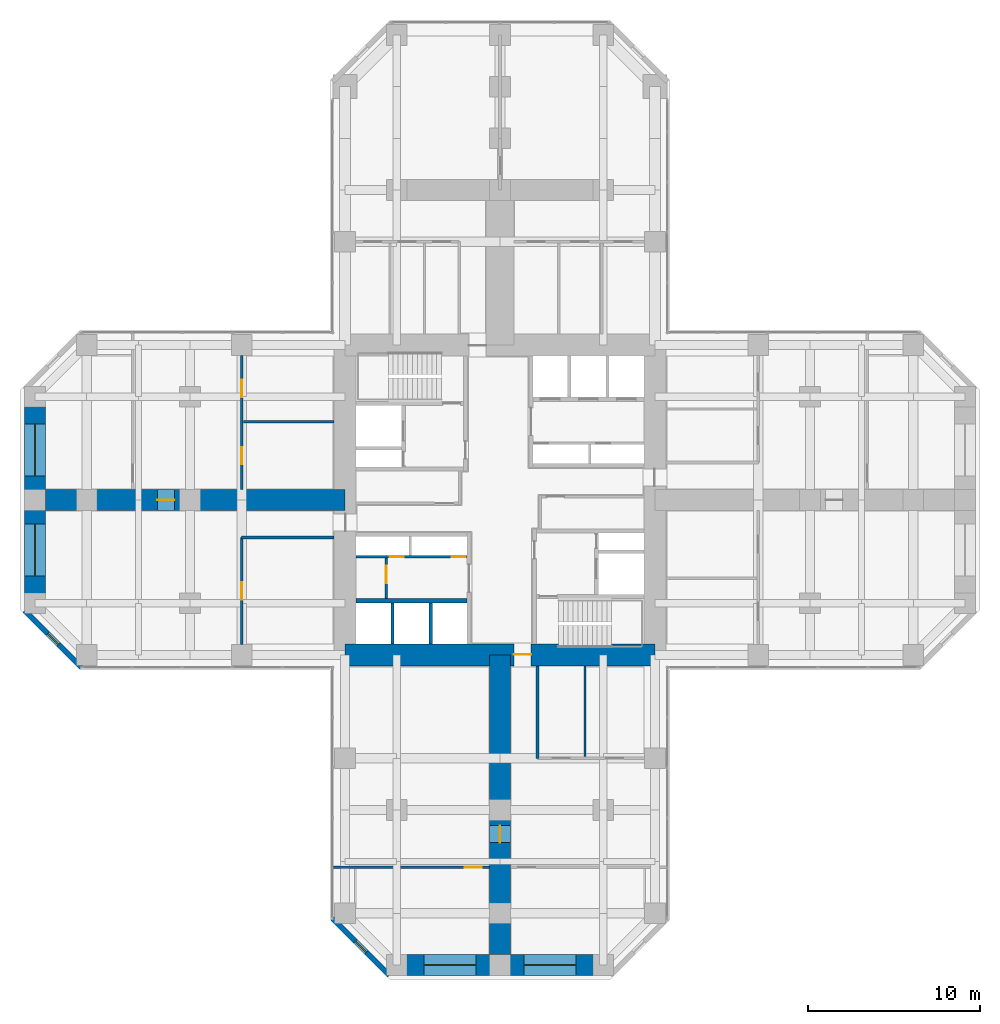
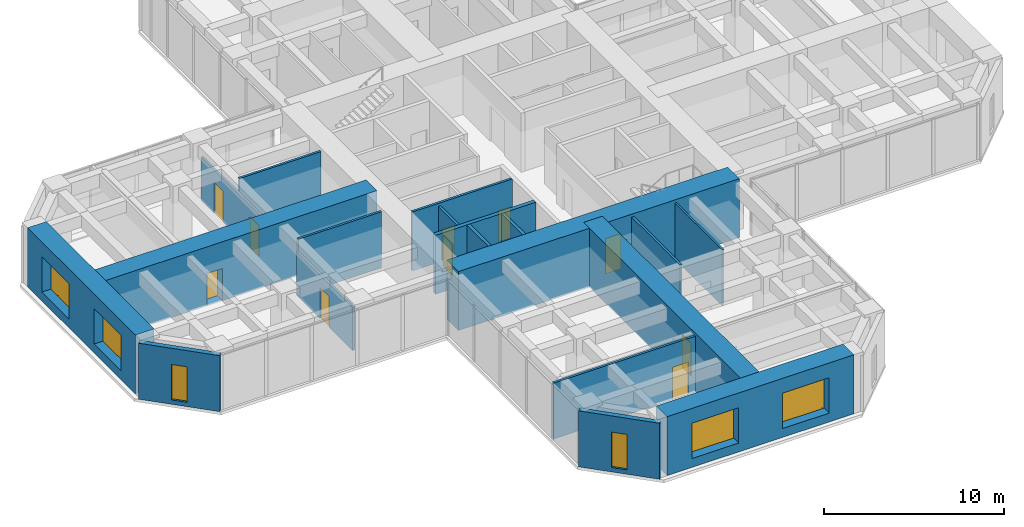
# One storey, part 8 of 12: 19 walls, 10 doors, 6 windows, 16 openings.
"""IFC4 building model written with IfcOpenShell, lengths in metres."""

import ifcopenshell
import ifcopenshell.guid

model = None  # the IFC model being written
_history = None  # IfcOwnerHistory: only IFC2X3 demands one
_inside = {}  # id of a spatial element -> (the spatial element, [elements in it])
_under = {}  # id of a project, library or spatial element -> (it, [spatial elements below it])
_declared = {}  # id of a project -> (the project, [libraries it declares])
_typed = {}  # id of a type object -> (the type object, [elements of that type])
_made_of = {}  # id of a material, layer set ... -> (it, [elements and type objects made of it])


def new_model(schema):
    """Start an empty IFC model of exactly this schema.

    Asked for "IFC4X3", IfcOpenShell would pick the latest addendum, in which some entities
    have other attributes; the version numbers below select the first issue.
    IFC2X3 requires an IfcOwnerHistory on every rooted entity: one is made here for all.
    """
    global model, _history
    if schema == "IFC4X3":
        model = ifcopenshell.file(schema_version=(4, 3, 0, 0))
    else:
        model = ifcopenshell.file(schema=schema)
    _inside.clear()
    _under.clear()
    _declared.clear()
    _typed.clear()
    _made_of.clear()
    _history = None
    if model.schema == "IFC2X3":
        org = make("IfcOrganization", Name="unknown")
        user = make(
            "IfcPersonAndOrganization",
            ThePerson=make("IfcPerson", FamilyName="unknown"),
            TheOrganization=org,
        )
        app = make(
            "IfcApplication",
            ApplicationDeveloper=org,
            Version="unknown",
            ApplicationFullName="unknown",
            ApplicationIdentifier="unknown",
        )
        _history = make(
            "IfcOwnerHistory",
            OwningUser=user,
            OwningApplication=app,
            ChangeAction="ADDED",
            CreationDate=0,
        )
    return model


def make(cls, **values):
    """One entity of the class cls with the attributes given. An attribute that is None is left unset."""
    return model.create_entity(
        cls, **{name: value for name, value in values.items() if value is not None}
    )


def rooted(cls, **values):
    """An entity with a GlobalId (a new one), such as an element, a storey or a relation."""
    return make(cls, GlobalId=ifcopenshell.guid.new(), OwnerHistory=_history, **values)


def si_unit(unit_type, name, prefix=None):
    """IfcSIUnit, for example si_unit("LENGTHUNIT", "METRE", prefix="MILLI")."""
    return make("IfcSIUnit", UnitType=unit_type, Prefix=prefix, Name=name)


def assignment(units):
    """IfcUnitAssignment: the units of a project."""
    return None if units is None else make("IfcUnitAssignment", Units=units)


def point(xyz):
    """IfcCartesianPoint."""
    return None if xyz is None else make("IfcCartesianPoint", Coordinates=xyz)


def direction(xyz):
    """IfcDirection."""
    return None if xyz is None else make("IfcDirection", DirectionRatios=xyz)


def frame(location, z_axis=None, x_axis=None):
    """IfcAxis2Placement3D, a coordinate frame: its origin and axes. An axis left out is left unset."""
    return make(
        "IfcAxis2Placement3D",
        Location=point(location),
        Axis=direction(z_axis),
        RefDirection=direction(x_axis),
    )


def frame_2d(location, x_axis=None):
    """IfcAxis2Placement2D, a coordinate frame in the plane: its origin and x axis."""
    return make(
        "IfcAxis2Placement2D", Location=point(location), RefDirection=direction(x_axis)
    )


def origin():
    """The frame at (0, 0, 0) with its axes left unset."""
    return frame((0.0, 0.0, 0.0))


def place(relative_to, where):
    """IfcLocalPlacement: puts the frame where relative to a parent placement (None: the world)."""
    return make(
        "IfcLocalPlacement", PlacementRelTo=relative_to, RelativePlacement=where
    )


def context(
    kind, dimensions, precision=None, world=None, true_north=None, identifier=None
):
    """IfcGeometricRepresentationContext, for example the 3D "Model" context."""
    return make(
        "IfcGeometricRepresentationContext",
        ContextIdentifier=identifier,
        ContextType=kind,
        CoordinateSpaceDimension=dimensions,
        Precision=precision,
        WorldCoordinateSystem=world,
        TrueNorth=true_north,
    )


def subcontext(parent, identifier, kind, view, scale=None):
    """IfcGeometricRepresentationSubContext, for example "Body" below "Model"."""
    return make(
        "IfcGeometricRepresentationSubContext",
        ContextIdentifier=identifier,
        ContextType=kind,
        ParentContext=parent,
        TargetScale=scale,
        TargetView=view,
    )


def project(units=None, contexts=None):
    """IfcProject with its units and contexts."""
    return rooted(
        "IfcProject",
        Name="project",
        RepresentationContexts=contexts,
        UnitsInContext=assignment(units),
    )


def spatial(cls, under=None, at=None, **own):
    """A site, building, storey or space (cls), placed at a placement, below another one or the project."""
    s = rooted(cls, ObjectPlacement=at, **own)
    if under is not None:
        _under.setdefault(under.id(), (under, []))[1].append(s)
    return s


def profile(cls, at=None, kind="AREA", **sizes):
    """A parametric profile (cls). Its sizes go by their IFC names, for example OverallWidth=200.0."""
    return make(cls, ProfileType=kind, Position=at, **sizes)


def rectangle(**sizes):
    """IfcRectangleProfileDef."""
    return profile("IfcRectangleProfileDef", **sizes)


def hollow_rectangle(**sizes):
    """IfcRectangleHollowProfileDef."""
    return profile("IfcRectangleHollowProfileDef", **sizes)


def extrude(swept, where, along, depth):
    """IfcExtrudedAreaSolid: the profile swept, set in the frame where, extruded along a direction by depth."""
    return make(
        "IfcExtrudedAreaSolid",
        SweptArea=swept,
        Position=where,
        ExtrudedDirection=direction(along),
        Depth=depth,
    )


def shape(context_of_items, identifier, shape_type, items):
    """IfcShapeRepresentation: the items that make up one representation, for example the "Body"."""
    return make(
        "IfcShapeRepresentation",
        ContextOfItems=context_of_items,
        RepresentationIdentifier=identifier,
        RepresentationType=shape_type,
        Items=items,
    )


def material(Name=None, Category=None):
    """IfcMaterial."""
    return make("IfcMaterial", Name=Name, Category=Category)


def layer(
    of_material, thickness, ventilated=None, Name=None, Category=None, Priority=None
):
    """IfcMaterialLayer: one layer of a wall or slab, of a material (None: an air gap)."""
    return make(
        "IfcMaterialLayer",
        Material=of_material,
        LayerThickness=thickness,
        IsVentilated=ventilated,
        Name=Name,
        Category=Category,
        Priority=Priority,
    )


def layer_set(layers, Name=None):
    """IfcMaterialLayerSet."""
    return make("IfcMaterialLayerSet", MaterialLayers=layers, LayerSetName=Name)


def constituent(of_material, Name=None, Category=None, fraction=None):
    """IfcMaterialConstituent: one of the materials an element consists of."""
    return make(
        "IfcMaterialConstituent",
        Name=Name,
        Material=of_material,
        Fraction=fraction,
        Category=Category,
    )


def constituent_set(constituents=None, Name=None):
    """IfcMaterialConstituentSet."""
    return make(
        "IfcMaterialConstituentSet", Name=Name, MaterialConstituents=constituents
    )


def made_of(thing, what):
    """Note that an element or type object is made of a material, layer set ...; save() writes the relation."""
    if what is not None:
        _made_of.setdefault(what.id(), (what, []))[1].append(thing)
    return thing


def type_object(cls, material=None, **own):
    """A type object (cls), such as IfcWallType, which elements share."""
    return made_of(rooted(cls, **own), material)


def element(
    cls,
    number,
    at=None,
    inside=None,
    cuts=None,
    type_object=None,
    material=None,
    context=None,
    identifier="Body",
    shape_type=None,
    held_by="IfcProductDefinitionShape",
    body=None,
    shapes=None,
    **own,
):
    """One element of the class cls, such as IfcWall. Its Tag is "e" and its number.

    at: its placement. inside: the storey or other place that contains it. cuts: it is an
    opening in that element (IfcRelVoidsElement). A single representation is given by context,
    identifier, shape_type and body (its items); several are given by shapes. held_by: the class
    of the entity that holds the representations. save() writes the other relations.
    """
    e = rooted(cls, Tag="e%d" % number, ObjectPlacement=at, **own)
    if body is not None:
        shapes = [shape(context, identifier, shape_type, body)]
    if shapes is not None:
        e.Representation = make(held_by, Representations=shapes)
    if inside is not None:
        _inside.setdefault(inside.id(), (inside, []))[1].append(e)
    if cuts is not None:
        rooted(
            "IfcRelVoidsElement", RelatingBuildingElement=cuts, RelatedOpeningElement=e
        )
    if type_object is not None:
        _typed.setdefault(type_object.id(), (type_object, []))[1].append(e)
    return made_of(e, material)


def fill(opening, filler):
    """IfcRelFillsElement: the door or window that sits in an opening."""
    return rooted(
        "IfcRelFillsElement",
        RelatingOpeningElement=opening,
        RelatedBuildingElement=filler,
    )


def aggregate(whole, parts):
    """IfcRelAggregates: a whole, such as a stair, and the parts it consists of."""
    return rooted("IfcRelAggregates", RelatingObject=whole, RelatedObjects=parts)


def save(model, path):
    """Write the relations noted so far, then the file.

    IfcRelAggregates (storeys below a building ...), IfcRelContainedInSpatialStructure (elements
    in a storey), IfcRelDefinesByType, IfcRelAssociatesMaterial and IfcRelDeclares: one each for
    every whole, place, type object, material and project.
    """
    for whole, parts in _under.values():
        aggregate(whole, parts)
    for where, things in _inside.values():
        rooted(
            "IfcRelContainedInSpatialStructure",
            RelatedElements=things,
            RelatingStructure=where,
        )
    for kind, things in _typed.values():
        rooted("IfcRelDefinesByType", RelatedObjects=things, RelatingType=kind)
    for what, things in _made_of.values():
        rooted("IfcRelAssociatesMaterial", RelatedObjects=things, RelatingMaterial=what)
    for by, libraries in _declared.values():
        rooted("IfcRelDeclares", RelatingContext=by, RelatedDefinitions=libraries)
    model.write(path)


model = new_model("IFC4")

# Units and contexts
model_context = context("Model", 3, precision=1e-05, world=origin(), true_north=direction((0.0, 1.0)))
body_context = subcontext(model_context, "Body", "Model", "MODEL_VIEW")
ifc_project = project(units=[si_unit("LENGTHUNIT", "METRE"), si_unit("AREAUNIT", "SQUARE_METRE"), si_unit("VOLUMEUNIT", "CUBIC_METRE"), si_unit("PLANEANGLEUNIT", "RADIAN"), si_unit("MASSUNIT", "GRAM", prefix="KILO")], contexts=[model_context])

# Site, building, storey
site_placement = place(None, origin())
site = spatial("IfcSite", under=ifc_project, at=site_placement, CompositionType="ELEMENT")
building_placement = place(site_placement, origin())
building = spatial("IfcBuilding", under=site, at=building_placement, Name="Torre Cruceta", CompositionType="ELEMENT")
storey_placement = place(building_placement, frame((0.0, 0.0, 79.5)))
storey = spatial("IfcBuildingStorey", under=building, at=storey_placement, Name="L19", CompositionType="ELEMENT", Elevation=79.5)

# Wall
ifc_material_1 = material(Name="Concrete G60 (fck 60 MPa)", Category="concrete")
ifc_layer_1 = layer(ifc_material_1, 0.25)
ifc_layer_set_1 = layer_set([ifc_layer_1], Name="Concrete G60 (fck 60 MPa)")
wall_type_1 = type_object("IfcWallType", Name="CORE INNER WALL 250 G60", PredefinedType="SHEAR", material=ifc_layer_set_1)
wall_1_placement = place(storey_placement, frame((-1.925048828125, -5.85009765625, 0.0), z_axis=(0.0, 0.0, 1.0), x_axis=(-1.0, 0.0, 0.0)))
element("IfcWall", 1, at=wall_1_placement, inside=storey, type_object=wall_type_1, Name="CW4 L19 SW-LV", PredefinedType="SHEAR", context=body_context, shape_type="SweptSolid", body=[
    extrude(rectangle(XDim=6.425048828125, YDim=0.25, at=frame_2d((3.21240234375, 0.0))), origin(), (0.0, 0.0, 1.0), 4.0),
])

# Wall, opening, door
ifc_material_2 = material(Name="Concrete G60 (fck 60 MPa)", Category="concrete")
ifc_layer_2 = layer(ifc_material_2, 1.300048828125)
ifc_layer_set_2 = layer_set([ifc_layer_2], Name="Concrete G60 (fck 60 MPa)")
wall_type_2 = type_object("IfcWallType", Name="CORE WALL 1300 G60", PredefinedType="SHEAR", material=ifc_layer_set_2)
wall_2_placement = place(storey_placement, frame((-9.0, -9.0, 0.0), z_axis=(0.0, 0.0, 1.0), x_axis=(1.0, 0.0, 0.0)))
wall_2 = element("IfcWall", 2, at=wall_2_placement, inside=storey, type_object=wall_type_2, Name="CW1 L19 CW-S", PredefinedType="SHEAR", context=body_context, shape_type="SweptSolid", body=[
    extrude(rectangle(XDim=18.0, YDim=1.300048828125, at=frame_2d((9.0, 0.0))), origin(), (0.0, 0.0, 1.0), 4.0),
])
opening_1_placement = place(wall_2_placement, frame((9.800048828125, 0.0, 0.0)))
opening_1 = element("IfcOpeningElement", 3, at=opening_1_placement, cuts=wall_2, Name="Opening D4", PredefinedType="OPENING", context=body_context, shape_type="SweptSolid", body=[
    extrude(rectangle(XDim=1.0, YDim=2.39990234375, at=frame_2d((0.5, 1.199951171875))), frame((0.0, 0.659912109375, 0.0), z_axis=(0.0, -1.0, 0.0), x_axis=(1.0, 0.0, 0.0)), (0.0, 0.0, 1.0), 1.320068359375),
])
ifc_material_3 = material(Name="Steel DX51D", Category="steel")
ifc_constituent_1 = constituent(ifc_material_3, Name="Leaf and frame")
ifc_material_4 = material(Name="Polyester powder coating", Category="paint")
ifc_constituent_2 = constituent(ifc_material_4, Name="Finish")
ifc_constituent_set_1 = constituent_set(constituents=[ifc_constituent_1, ifc_constituent_2], Name="Steel fire door")
door_type_1 = type_object("IfcDoorType", Name="CORE ARM DOOR 1000X2400", OperationType="SINGLE_SWING_RIGHT", PredefinedType="DOOR", material=ifc_constituent_set_1)
door_1_placement = place(opening_1_placement, frame((1.0, 0.0, 0.0), z_axis=(0.0, 0.0, 1.0), x_axis=(-1.0, 0.0, 0.0)))
door_1 = element("IfcDoor", 4, at=door_1_placement, inside=storey, type_object=door_type_1, Name="D4 L19 CW-S", OperationType="SINGLE_SWING_RIGHT", OverallHeight=2.39990234375, OverallWidth=1.0, PredefinedType="DOOR", context=body_context, shape_type="SweptSolid", body=[
    extrude(rectangle(XDim=1.0, YDim=2.39990234375, at=frame_2d((0.5, 1.199951171875))), frame((0.0, -0.005126953125, 0.0), z_axis=(0.0, -1.0, 0.0), x_axis=(1.0, 0.0, 0.0)), (0.0, 0.0, 1.0), 0.050048828125),
])
fill(opening_1, door_1)

# Wall, opening, window
ifc_material_5 = material(Name="Concrete G30 (fck 30 MPa)", Category="concrete")
ifc_layer_3 = layer(ifc_material_5, 0.300048828125)
ifc_layer_set_3 = layer_set([ifc_layer_3], Name="Concrete G30 (fck 30 MPa)")
wall_type_3 = type_object("IfcWallType", Name="EXPOSED CONCRETE FACADE WALL 300", PredefinedType="SOLIDWALL", material=ifc_layer_set_3)
wall_3_placement = place(storey_placement, frame((-27.60009765625, -6.418212890625, 0.0), z_axis=(0.0, 0.0, 1.0), x_axis=(0.707106781187, -0.707106781187, 0.0)))
wall_3 = element("IfcWall", 5, at=wall_3_placement, inside=storey, type_object=wall_type_3, Name="EW1 facade wall L19 W chamfer 13", PredefinedType="SOLIDWALL", context=body_context, shape_type="SweptSolid", body=[
    extrude(rectangle(XDim=4.66943359375, YDim=0.300048828125, at=frame_2d((2.334716796875, 0.0))), origin(), (0.0, 0.0, 1.0), 3.800048828125),
])
opening_2_placement = place(wall_3_placement, frame((1.884765625, 0.0, 0.300048828125)))
opening_2 = element("IfcOpeningElement", 6, at=opening_2_placement, cuts=wall_3, Name="Opening WN5", PredefinedType="OPENING", context=body_context, shape_type="SweptSolid", body=[
    extrude(rectangle(XDim=0.89990234375, YDim=2.39990234375, at=frame_2d((0.449951171875, 1.199951171875))), frame((0.0, 0.159912109375, 0.0), z_axis=(0.0, -1.0, 0.0), x_axis=(1.0, 0.0, 0.0)), (0.0, 0.0, 1.0), 0.320068359375),
])
ifc_material_6 = material(Name="Aluminium window frame", Category="aluminium")
ifc_constituent_3 = constituent(ifc_material_6, Name="Frame")
ifc_material_7 = material(Name="Laminated insulating glass unit, low-iron clear", Category="glass")
ifc_constituent_4 = constituent(ifc_material_7, Name="Glazing")
ifc_constituent_set_2 = constituent_set(constituents=[ifc_constituent_3, ifc_constituent_4], Name="Aluminium window")
window_type_1 = type_object("IfcWindowType", Name="CHAMFER SLOT WINDOW 900X2400", PartitioningType="SINGLE_PANEL", PredefinedType="WINDOW", material=ifc_constituent_set_2)
window_1_placement = place(opening_2_placement, origin())
window_1 = element("IfcWindow", 7, at=window_1_placement, inside=storey, type_object=window_type_1, Name="WN5 L19 W 1", OverallHeight=2.39990234375, OverallWidth=0.89990234375, PartitioningType="SINGLE_PANEL", PredefinedType="WINDOW", context=body_context, shape_type="SweptSolid", body=[
    extrude(hollow_rectangle(XDim=0.89990234375, YDim=2.39990234375, WallThickness=0.06005859375, at=frame_2d((0.449951171875, 1.199951171875))), frame((0.0, 0.030029296875, 0.0), z_axis=(0.0, -1.0, 0.0), x_axis=(1.0, 0.0, 0.0)), (0.0, 0.0, 1.0), 0.06005859375),
    extrude(rectangle(XDim=0.77880859375, YDim=2.27880859375, at=frame_2d((0.449951171875, 1.199951171875))), frame((0.0, 0.030029296875, 0.0), z_axis=(0.0, -1.0, 0.0), x_axis=(1.0, 0.0, 0.0)), (0.0, 0.0, 1.0), 0.06005859375),
])
fill(opening_2, window_1)

wall_4_placement = place(storey_placement, frame((-9.719970703125, -24.29833984375, 0.0), z_axis=(0.0, 0.0, 1.0), x_axis=(0.707106781187, -0.707106781187, 0.0)))
wall_4 = element("IfcWall", 8, at=wall_4_placement, inside=storey, type_object=wall_type_3, Name="EW1 facade wall L19 S chamfer 16", PredefinedType="SOLIDWALL", context=body_context, shape_type="SweptSolid", body=[
    extrude(rectangle(XDim=4.66943359375, YDim=0.300048828125, at=frame_2d((2.334716796875, 0.0))), origin(), (0.0, 0.0, 1.0), 3.800048828125),
])
opening_3_placement = place(wall_4_placement, frame((1.884765625, 0.0, 0.300048828125)))
opening_3 = element("IfcOpeningElement", 9, at=opening_3_placement, cuts=wall_4, Name="Opening WN5", PredefinedType="OPENING", context=body_context, shape_type="SweptSolid", body=[
    extrude(rectangle(XDim=0.89990234375, YDim=2.39990234375, at=frame_2d((0.449951171875, 1.199951171875))), frame((0.0, 0.159912109375, 0.0), z_axis=(0.0, -1.0, 0.0), x_axis=(1.0, 0.0, 0.0)), (0.0, 0.0, 1.0), 0.320068359375),
])
window_2_placement = place(opening_3_placement, origin())
window_2 = element("IfcWindow", 10, at=window_2_placement, inside=storey, type_object=window_type_1, Name="WN5 L19 S 1", OverallHeight=2.39990234375, OverallWidth=0.89990234375, PartitioningType="SINGLE_PANEL", PredefinedType="WINDOW", context=body_context, shape_type="SweptSolid", body=[
    extrude(hollow_rectangle(XDim=0.89990234375, YDim=2.39990234375, WallThickness=0.06005859375, at=frame_2d((0.449951171875, 1.199951171875))), frame((0.0, 0.030029296875, 0.0), z_axis=(0.0, -1.0, 0.0), x_axis=(1.0, 0.0, 0.0)), (0.0, 0.0, 1.0), 0.06005859375),
    extrude(rectangle(XDim=0.77880859375, YDim=2.27880859375, at=frame_2d((0.449951171875, 1.199951171875))), frame((0.0, 0.030029296875, 0.0), z_axis=(0.0, -1.0, 0.0), x_axis=(1.0, 0.0, 0.0)), (0.0, 0.0, 1.0), 0.06005859375),
])
fill(opening_3, window_2)

# Walls
ifc_material_8 = material(Name="Concrete G35 (fck 35 MPa)", Category="concrete")
ifc_layer_4 = layer(ifc_material_8, 0.199951171875)
ifc_layer_set_4 = layer_set([ifc_layer_4], Name="Concrete G35 (fck 35 MPa)")
wall_type_4 = type_object("IfcWallType", Name="LIFT SHAFT WALL 200", PredefinedType="PARTITIONING", material=ifc_layer_set_4)
for number, where, z_axis, x_axis, name in (
    (11, (-4.033447265625, -5.97509765625, 0.0), (0.0, 0.0, 1.0), (0.0, -1.0, 0.0), "SW1 L19 SW-LS1"),
    (12, (-6.24169921875, -5.97509765625, 0.0), (0.0, 0.0, 1.0), (0.0, -1.0, 0.0), "SW1 L19 SW-LS2"),
):
    element("IfcWall", number, at=place(storey_placement, frame(where, z_axis=z_axis, x_axis=x_axis)), inside=storey, type_object=wall_type_4, Name=name, PredefinedType="PARTITIONING", context=body_context, shape_type="SweptSolid", body=[
        extrude(rectangle(XDim=2.375, YDim=0.199951171875, at=frame_2d((1.1875, 0.0))), origin(), (0.0, 0.0, 1.0), 4.0),
    ])

# Wall, openings, windows
ifc_material_9 = material(Name="Concrete G60 (fck 60 MPa)", Category="concrete")
ifc_layer_5 = layer(ifc_material_9, 1.199951171875)
ifc_layer_set_5 = layer_set([ifc_layer_5], Name="Concrete G60 (fck 60 MPa)")
wall_type_5 = type_object("IfcWallType", Name="NOSE WALL 1200 G60", PredefinedType="SHEAR", material=ifc_layer_set_5)
wall_5_placement = place(storey_placement, frame((-6.0, -27.0, 0.0), z_axis=(0.0, 0.0, 1.0), x_axis=(1.0, 0.0, 0.0)))
wall_5 = element("IfcWall", 13, at=wall_5_placement, inside=storey, type_object=wall_type_5, Name="NW1 nose wall L19 S", PredefinedType="SHEAR", context=body_context, shape_type="SweptSolid", body=[
    extrude(rectangle(XDim=12.0, YDim=1.199951171875, at=frame_2d((6.0, 0.0))), origin(), (0.0, 0.0, 1.0), 4.0),
])
opening_4_placement = place(wall_5_placement, frame((1.60009765625, 0.0, 0.60009765625)))
opening_4 = element("IfcOpeningElement", 14, at=opening_4_placement, cuts=wall_5, Name="Opening WN6", PredefinedType="OPENING", context=body_context, shape_type="SweptSolid", body=[
    extrude(rectangle(XDim=3.0, YDim=2.39990234375, at=frame_2d((1.5, 1.199951171875))), frame((0.0, 0.60986328125, 0.0), z_axis=(0.0, -1.0, 0.0), x_axis=(1.0, 0.0, 0.0)), (0.0, 0.0, 1.0), 1.219970703125),
])
opening_5_placement = place(wall_5_placement, frame((7.39990234375, 0.0, 0.60009765625)))
opening_5 = element("IfcOpeningElement", 15, at=opening_5_placement, cuts=wall_5, Name="Opening WN6", PredefinedType="OPENING", context=body_context, shape_type="SweptSolid", body=[
    extrude(rectangle(XDim=3.0, YDim=2.39990234375, at=frame_2d((1.5, 1.199951171875))), frame((0.0, 0.60986328125, 0.0), z_axis=(0.0, -1.0, 0.0), x_axis=(1.0, 0.0, 0.0)), (0.0, 0.0, 1.0), 1.219970703125),
])
ifc_material_10 = material(Name="Aluminium window frame", Category="aluminium")
ifc_constituent_5 = constituent(ifc_material_10, Name="Frame")
ifc_material_11 = material(Name="Laminated insulating glass unit, low-iron clear", Category="glass")
ifc_constituent_6 = constituent(ifc_material_11, Name="Glazing")
ifc_constituent_set_3 = constituent_set(constituents=[ifc_constituent_5, ifc_constituent_6], Name="Aluminium window")
window_type_2 = type_object("IfcWindowType", Name="NOSE WALL WINDOW 3000X2400", PartitioningType="SINGLE_PANEL", PredefinedType="WINDOW", material=ifc_constituent_set_3)
window_3_placement = place(opening_4_placement, origin())
window_3 = element("IfcWindow", 16, at=window_3_placement, inside=storey, type_object=window_type_2, Name="WN6 L19 S 1", OverallHeight=2.39990234375, OverallWidth=3.0, PartitioningType="SINGLE_PANEL", PredefinedType="WINDOW", context=body_context, shape_type="SweptSolid", body=[
    extrude(hollow_rectangle(XDim=3.0, YDim=2.39990234375, WallThickness=0.06005859375, at=frame_2d((1.5, 1.199951171875))), frame((0.0, 0.030029296875, 0.0), z_axis=(0.0, -1.0, 0.0), x_axis=(1.0, 0.0, 0.0)), (0.0, 0.0, 1.0), 0.06005859375),
    extrude(rectangle(XDim=2.87890625, YDim=2.27880859375, at=frame_2d((1.5, 1.199951171875))), frame((0.0, 0.030029296875, 0.0), z_axis=(0.0, -1.0, 0.0), x_axis=(1.0, 0.0, 0.0)), (0.0, 0.0, 1.0), 0.06005859375),
])
fill(opening_4, window_3)
window_4_placement = place(opening_5_placement, origin())
window_4 = element("IfcWindow", 17, at=window_4_placement, inside=storey, type_object=window_type_2, Name="WN6 L19 S 2", OverallHeight=2.39990234375, OverallWidth=3.0, PartitioningType="SINGLE_PANEL", PredefinedType="WINDOW", context=body_context, shape_type="SweptSolid", body=[
    extrude(hollow_rectangle(XDim=3.0, YDim=2.39990234375, WallThickness=0.06005859375, at=frame_2d((1.5, 1.199951171875))), frame((0.0, 0.030029296875, 0.0), z_axis=(0.0, -1.0, 0.0), x_axis=(1.0, 0.0, 0.0)), (0.0, 0.0, 1.0), 0.06005859375),
    extrude(rectangle(XDim=2.87890625, YDim=2.27880859375, at=frame_2d((1.5, 1.199951171875))), frame((0.0, 0.030029296875, 0.0), z_axis=(0.0, -1.0, 0.0), x_axis=(1.0, 0.0, 0.0)), (0.0, 0.0, 1.0), 0.06005859375),
])
fill(opening_5, window_4)

wall_6_placement = place(storey_placement, frame((-27.0, 6.0, 0.0), z_axis=(0.0, 0.0, 1.0), x_axis=(0.0, -1.0, 0.0)))
wall_6 = element("IfcWall", 18, at=wall_6_placement, inside=storey, type_object=wall_type_5, Name="NW1 nose wall L19 W", PredefinedType="SHEAR", context=body_context, shape_type="SweptSolid", body=[
    extrude(rectangle(XDim=12.0, YDim=1.199951171875, at=frame_2d((6.0, 0.0))), origin(), (0.0, 0.0, 1.0), 4.0),
])
opening_6_placement = place(wall_6_placement, frame((1.60009765625, 0.0, 0.60009765625)))
opening_6 = element("IfcOpeningElement", 19, at=opening_6_placement, cuts=wall_6, Name="Opening WN6", PredefinedType="OPENING", context=body_context, shape_type="SweptSolid", body=[
    extrude(rectangle(XDim=3.0, YDim=2.39990234375, at=frame_2d((1.5, 1.199951171875))), frame((0.0, 0.60986328125, 0.0), z_axis=(0.0, -1.0, 0.0), x_axis=(1.0, 0.0, 0.0)), (0.0, 0.0, 1.0), 1.219970703125),
])
opening_7_placement = place(wall_6_placement, frame((7.39990234375, 0.0, 0.60009765625)))
opening_7 = element("IfcOpeningElement", 20, at=opening_7_placement, cuts=wall_6, Name="Opening WN6", PredefinedType="OPENING", context=body_context, shape_type="SweptSolid", body=[
    extrude(rectangle(XDim=3.0, YDim=2.39990234375, at=frame_2d((1.5, 1.199951171875))), frame((0.0, 0.60986328125, 0.0), z_axis=(0.0, -1.0, 0.0), x_axis=(1.0, 0.0, 0.0)), (0.0, 0.0, 1.0), 1.219970703125),
])
window_5_placement = place(opening_6_placement, origin())
window_5 = element("IfcWindow", 21, at=window_5_placement, inside=storey, type_object=window_type_2, Name="WN6 L19 W 1", OverallHeight=2.39990234375, OverallWidth=3.0, PartitioningType="SINGLE_PANEL", PredefinedType="WINDOW", context=body_context, shape_type="SweptSolid", body=[
    extrude(hollow_rectangle(XDim=3.0, YDim=2.39990234375, WallThickness=0.06005859375, at=frame_2d((1.5, 1.199951171875))), frame((0.0, 0.030029296875, 0.0), z_axis=(0.0, -1.0, 0.0), x_axis=(1.0, 0.0, 0.0)), (0.0, 0.0, 1.0), 0.06005859375),
    extrude(rectangle(XDim=2.87890625, YDim=2.27880859375, at=frame_2d((1.5, 1.199951171875))), frame((0.0, 0.030029296875, 0.0), z_axis=(0.0, -1.0, 0.0), x_axis=(1.0, 0.0, 0.0)), (0.0, 0.0, 1.0), 0.06005859375),
])
fill(opening_6, window_5)
window_6_placement = place(opening_7_placement, origin())
window_6 = element("IfcWindow", 22, at=window_6_placement, inside=storey, type_object=window_type_2, Name="WN6 L19 W 2", OverallHeight=2.39990234375, OverallWidth=3.0, PartitioningType="SINGLE_PANEL", PredefinedType="WINDOW", context=body_context, shape_type="SweptSolid", body=[
    extrude(hollow_rectangle(XDim=3.0, YDim=2.39990234375, WallThickness=0.06005859375, at=frame_2d((1.5, 1.199951171875))), frame((0.0, 0.030029296875, 0.0), z_axis=(0.0, -1.0, 0.0), x_axis=(1.0, 0.0, 0.0)), (0.0, 0.0, 1.0), 0.06005859375),
    extrude(rectangle(XDim=2.87890625, YDim=2.27880859375, at=frame_2d((1.5, 1.199951171875))), frame((0.0, 0.030029296875, 0.0), z_axis=(0.0, -1.0, 0.0), x_axis=(1.0, 0.0, 0.0)), (0.0, 0.0, 1.0), 0.06005859375),
])
fill(opening_7, window_6)

# Wall, opening, door
ifc_material_12 = material(Name="Plasterboard on steel studs", Category="steel")
ifc_layer_6 = layer(ifc_material_12, 0.14990234375)
ifc_layer_set_6 = layer_set([ifc_layer_6], Name="Plasterboard on steel studs")
wall_type_6 = type_object("IfcWallType", Name="PARTITION 150", PredefinedType="PARTITIONING", material=ifc_layer_set_6)
wall_7_placement = place(storey_placement, frame((-6.60009765625, -3.375, 0.0), z_axis=(0.0, 0.0, 1.0), x_axis=(0.0, -1.0, 0.0)))
wall_7 = element("IfcWall", 23, at=wall_7_placement, inside=storey, type_object=wall_type_6, Name="PT1 L19-CORE-SW-X", PredefinedType="PARTITIONING", context=body_context, shape_type="SweptSolid", body=[
    extrude(rectangle(XDim=2.35009765625, YDim=0.14990234375, at=frame_2d((1.175048828125, 0.0))), origin(), (0.0, 0.0, 1.0), 3.800048828125),
])
opening_8_placement = place(wall_7_placement, frame((0.449951171875, 0.0, 0.0)))
opening_8 = element("IfcOpeningElement", 24, at=opening_8_placement, cuts=wall_7, Name="Opening D3", PredefinedType="OPENING", context=body_context, shape_type="SweptSolid", body=[
    extrude(rectangle(XDim=1.0, YDim=2.10009765625, at=frame_2d((0.5, 1.050048828125))), frame((0.0, 0.0849609375, 0.0), z_axis=(0.0, -1.0, 0.0), x_axis=(1.0, 0.0, 0.0)), (0.0, 0.0, 1.0), 0.169921875),
])
ifc_material_13 = material(Name="Steel DX51D", Category="steel")
ifc_constituent_7 = constituent(ifc_material_13, Name="Leaf and frame")
ifc_material_14 = material(Name="Polyester powder coating", Category="paint")
ifc_constituent_8 = constituent(ifc_material_14, Name="Finish")
ifc_constituent_set_4 = constituent_set(constituents=[ifc_constituent_7, ifc_constituent_8], Name="Steel fire door")
door_type_2 = type_object("IfcDoorType", Name="FIRE DOOR 1000X2100", OperationType="SINGLE_SWING_LEFT", PredefinedType="DOOR", material=ifc_constituent_set_4)
door_2_placement = place(opening_8_placement, frame((1.0, 0.0, 0.0), z_axis=(0.0, 0.0, 1.0), x_axis=(-1.0, 0.0, 0.0)))
door_2 = element("IfcDoor", 25, at=door_2_placement, inside=storey, type_object=door_type_2, Name="D3 L19-CORE-SW-X-D1", OperationType="SINGLE_SWING_RIGHT", OverallHeight=2.10009765625, OverallWidth=1.0, PredefinedType="DOOR", context=body_context, shape_type="SweptSolid", body=[
    extrude(rectangle(XDim=1.0, YDim=2.10009765625, at=frame_2d((0.5, 1.050048828125))), frame((0.0, 0.025146484375, 0.0), z_axis=(0.0, -1.0, 0.0), x_axis=(1.0, 0.0, 0.0)), (0.0, 0.0, 1.0), 0.050048828125),
])
fill(opening_8, door_2)

# Wall
wall_8_placement = place(storey_placement, frame((2.175048828125, -9.64990234375, 0.0), z_axis=(0.0, 0.0, 1.0), x_axis=(0.0, -1.0, 0.0)))
element("IfcWall", 26, at=wall_8_placement, inside=storey, type_object=wall_type_6, Name="PT1 L19-S-BSL", PredefinedType="PARTITIONING", context=body_context, shape_type="SweptSolid", body=[
    extrude(rectangle(XDim=5.35009765625, YDim=0.14990234375, at=frame_2d((2.675048828125, 0.0))), origin(), (0.0, 0.0, 1.0), 3.800048828125),
])

# Wall, opening, door
wall_9_placement = place(storey_placement, frame((-9.679931640625, -21.320068359375, 0.0), z_axis=(0.0, 0.0, 1.0), x_axis=(1.0, 0.0, 0.0)))
wall_9 = element("IfcWall", 27, at=wall_9_placement, inside=storey, type_object=wall_type_6, Name="PT1 L19-S-TWR", PredefinedType="PARTITIONING", context=body_context, shape_type="SweptSolid", body=[
    extrude(rectangle(XDim=9.079833984375, YDim=0.14990234375, at=frame_2d((4.5400390625, 0.0))), origin(), (0.0, 0.0, 1.0), 3.800048828125),
])
opening_9_placement = place(wall_9_placement, frame((7.6298828125, 0.0, 0.0)))
opening_9 = element("IfcOpeningElement", 28, at=opening_9_placement, cuts=wall_9, Name="Opening D14", PredefinedType="OPENING", context=body_context, shape_type="SweptSolid", body=[
    extrude(rectangle(XDim=1.0, YDim=2.199951171875, at=frame_2d((0.5, 1.10009765625))), frame((0.0, 0.0849609375, 0.0), z_axis=(0.0, -1.0, 0.0), x_axis=(1.0, 0.0, 0.0)), (0.0, 0.0, 1.0), 0.169921875),
])
ifc_material_15 = material(Name="Steel DX51D", Category="steel")
ifc_constituent_9 = constituent(ifc_material_15, Name="Leaf and frame")
ifc_material_16 = material(Name="Polyester powder coating", Category="paint")
ifc_constituent_10 = constituent(ifc_material_16, Name="Finish")
ifc_material_17 = material(Name="Fire-resisting glass", Category="glass")
ifc_constituent_11 = constituent(ifc_material_17, Name="Vision panel")
ifc_constituent_set_5 = constituent_set(constituents=[ifc_constituent_9, ifc_constituent_10, ifc_constituent_11], Name="Steel fire door with vision panel")
door_type_3 = type_object("IfcDoorType", Name="FIRE DOOR VISION PANEL 1000X2200", OperationType="SINGLE_SWING_RIGHT", PredefinedType="DOOR", material=ifc_constituent_set_5)
door_3_placement = place(opening_9_placement, frame((1.0, 0.0, 0.0), z_axis=(0.0, 0.0, 1.0), x_axis=(-1.0, 0.0, 0.0)))
door_3 = element("IfcDoor", 29, at=door_3_placement, inside=storey, type_object=door_type_3, Name="D14 L19-S-TWR-D1", OperationType="SINGLE_SWING_LEFT", OverallHeight=2.199951171875, OverallWidth=1.0, PredefinedType="DOOR", context=body_context, shape_type="SweptSolid", body=[
    extrude(rectangle(XDim=1.0, YDim=2.199951171875, at=frame_2d((0.5, 1.10009765625))), frame((0.0, 0.025146484375, 0.0), z_axis=(0.0, -1.0, 0.0), x_axis=(1.0, 0.0, 0.0)), (0.0, 0.0, 1.0), 0.050048828125),
])
fill(opening_9, door_3)

wall_10_placement = place(storey_placement, frame((-15.0, -2.175048828125, 0.0), z_axis=(0.0, 0.0, 1.0), x_axis=(0.0, -1.0, 0.0)))
wall_10 = element("IfcWall", 30, at=wall_10_placement, inside=storey, type_object=wall_type_6, Name="PT1 L19-W-BFL", PredefinedType="PARTITIONING", context=body_context, shape_type="SweptSolid", body=[
    extrude(rectangle(XDim=6.224853515625, YDim=0.14990234375, at=frame_2d((3.1123046875, 0.0))), origin(), (0.0, 0.0, 1.0), 2.949951171875),
])
opening_10_placement = place(wall_10_placement, frame((2.612548828125, 0.0, 0.0)))
opening_10 = element("IfcOpeningElement", 31, at=opening_10_placement, cuts=wall_10, Name="Opening D3", PredefinedType="OPENING", context=body_context, shape_type="SweptSolid", body=[
    extrude(rectangle(XDim=1.0, YDim=2.10009765625, at=frame_2d((0.5, 1.050048828125))), frame((0.0, 0.0849609375, 0.0), z_axis=(0.0, -1.0, 0.0), x_axis=(1.0, 0.0, 0.0)), (0.0, 0.0, 1.0), 0.169921875),
])
door_4_placement = place(opening_10_placement, origin())
door_4 = element("IfcDoor", 32, at=door_4_placement, inside=storey, type_object=door_type_2, Name="D3 L19-W-BFL-D1", OperationType="SINGLE_SWING_LEFT", OverallHeight=2.10009765625, OverallWidth=1.0, PredefinedType="DOOR", context=body_context, shape_type="SweptSolid", body=[
    extrude(rectangle(XDim=1.0, YDim=2.10009765625, at=frame_2d((0.5, 1.050048828125))), frame((0.0, 0.02490234375, 0.0), z_axis=(0.0, -1.0, 0.0), x_axis=(1.0, 0.0, 0.0)), (0.0, 0.0, 1.0), 0.050048828125),
])
fill(opening_10, door_4)

# Wall
wall_11_placement = place(storey_placement, frame((-9.64990234375, -2.175048828125, 0.0), z_axis=(0.0, 0.0, 1.0), x_axis=(-1.0, 0.0, 0.0)))
element("IfcWall", 33, at=wall_11_placement, inside=storey, type_object=wall_type_6, Name="PT1 L19-W-BSL", PredefinedType="PARTITIONING", context=body_context, shape_type="SweptSolid", body=[
    extrude(rectangle(XDim=5.35009765625, YDim=0.14990234375, at=frame_2d((2.675048828125, 0.0))), origin(), (0.0, 0.0, 1.0), 3.800048828125),
])

# Wall, openings, doors
wall_12_placement = place(storey_placement, frame((-15.0, 8.39990234375, 0.0), z_axis=(0.0, 0.0, 1.0), x_axis=(0.0, -1.0, 0.0)))
wall_12 = element("IfcWall", 34, at=wall_12_placement, inside=storey, type_object=wall_type_6, Name="PT1 L19-W-BFR", PredefinedType="PARTITIONING", context=body_context, shape_type="SweptSolid", body=[
    extrude(rectangle(XDim=7.7998046875, YDim=0.14990234375, at=frame_2d((3.89990234375, 0.0))), origin(), (0.0, 0.0, 1.0), 2.949951171875),
])
opening_11_placement = place(wall_12_placement, frame((1.425048828125, 0.0, 0.0)))
opening_11 = element("IfcOpeningElement", 35, at=opening_11_placement, cuts=wall_12, Name="Opening D3", PredefinedType="OPENING", context=body_context, shape_type="SweptSolid", body=[
    extrude(rectangle(XDim=1.0, YDim=2.10009765625, at=frame_2d((0.5, 1.050048828125))), frame((0.0, 0.0849609375, 0.0), z_axis=(0.0, -1.0, 0.0), x_axis=(1.0, 0.0, 0.0)), (0.0, 0.0, 1.0), 0.169921875),
])
opening_12_placement = place(wall_12_placement, frame((5.324951171875, 0.0, 0.0)))
opening_12 = element("IfcOpeningElement", 36, at=opening_12_placement, cuts=wall_12, Name="Opening D3", PredefinedType="OPENING", context=body_context, shape_type="SweptSolid", body=[
    extrude(rectangle(XDim=1.0, YDim=2.10009765625, at=frame_2d((0.5, 1.050048828125))), frame((0.0, 0.0849609375, 0.0), z_axis=(0.0, -1.0, 0.0), x_axis=(1.0, 0.0, 0.0)), (0.0, 0.0, 1.0), 0.169921875),
])
door_5_placement = place(opening_11_placement, origin())
door_5 = element("IfcDoor", 37, at=door_5_placement, inside=storey, type_object=door_type_2, Name="D3 L19-W-BFR-D1", OperationType="SINGLE_SWING_RIGHT", OverallHeight=2.10009765625, OverallWidth=1.0, PredefinedType="DOOR", context=body_context, shape_type="SweptSolid", body=[
    extrude(rectangle(XDim=1.0, YDim=2.10009765625, at=frame_2d((0.5, 1.050048828125))), frame((0.0, 0.02490234375, 0.0), z_axis=(0.0, -1.0, 0.0), x_axis=(1.0, 0.0, 0.0)), (0.0, 0.0, 1.0), 0.050048828125),
])
fill(opening_11, door_5)
door_6_placement = place(opening_12_placement, origin())
door_6 = element("IfcDoor", 38, at=door_6_placement, inside=storey, type_object=door_type_2, Name="D3 L19-W-BFR-D2", OperationType="SINGLE_SWING_LEFT", OverallHeight=2.10009765625, OverallWidth=1.0, PredefinedType="DOOR", context=body_context, shape_type="SweptSolid", body=[
    extrude(rectangle(XDim=1.0, YDim=2.10009765625, at=frame_2d((0.5, 1.050048828125))), frame((0.0, 0.02490234375, 0.0), z_axis=(0.0, -1.0, 0.0), x_axis=(1.0, 0.0, 0.0)), (0.0, 0.0, 1.0), 0.050048828125),
])
fill(opening_12, door_6)

# Wall
wall_13_placement = place(storey_placement, frame((-9.64990234375, 4.550048828125, 0.0), z_axis=(0.0, 0.0, 1.0), x_axis=(-1.0, 0.0, 0.0)))
element("IfcWall", 39, at=wall_13_placement, inside=storey, type_object=wall_type_6, Name="PT1 L19-W-BDR1", PredefinedType="PARTITIONING", context=body_context, shape_type="SweptSolid", body=[
    extrude(rectangle(XDim=5.25, YDim=0.14990234375, at=frame_2d((2.625, 0.0))), origin(), (0.0, 0.0, 1.0), 3.800048828125),
])

# Wall, openings, doors
ifc_material_18 = material(Name="Concrete block masonry", Category="masonry")
ifc_layer_7 = layer(ifc_material_18, 0.14990234375)
ifc_layer_set_7 = layer_set([ifc_layer_7], Name="Concrete block masonry")
wall_type_7 = type_object("IfcWallType", Name="RISER WALL 150", PredefinedType="PARTITIONING", material=ifc_layer_set_7)
wall_14_placement = place(storey_placement, frame((-1.925048828125, -3.300048828125, 0.0), z_axis=(0.0, 0.0, 1.0), x_axis=(-1.0, 0.0, 0.0)))
wall_14 = element("IfcWall", 40, at=wall_14_placement, inside=storey, type_object=wall_type_7, Name="SW7 L19 SW-RV", PredefinedType="PARTITIONING", context=body_context, shape_type="SweptSolid", body=[
    extrude(rectangle(XDim=6.425048828125, YDim=0.14990234375, at=frame_2d((3.21240234375, 0.0))), origin(), (0.0, 0.0, 1.0), 4.0),
])
opening_13_placement = place(wall_14_placement, frame((0.074951171875, 0.0, 0.0)))
opening_13 = element("IfcOpeningElement", 41, at=opening_13_placement, cuts=wall_14, Name="Opening D5", PredefinedType="OPENING", context=body_context, shape_type="SweptSolid", body=[
    extrude(rectangle(XDim=0.800048828125, YDim=2.10009765625, at=frame_2d((0.39990234375, 1.050048828125))), frame((0.0, 0.0849609375, 0.0), z_axis=(0.0, -1.0, 0.0), x_axis=(1.0, 0.0, 0.0)), (0.0, 0.0, 1.0), 0.169921875),
])
opening_14_placement = place(wall_14_placement, frame((3.675048828125, 0.0, 0.0)))
opening_14 = element("IfcOpeningElement", 42, at=opening_14_placement, cuts=wall_14, Name="Opening D5", PredefinedType="OPENING", context=body_context, shape_type="SweptSolid", body=[
    extrude(rectangle(XDim=0.800048828125, YDim=2.10009765625, at=frame_2d((0.39990234375, 1.050048828125))), frame((0.0, 0.0849609375, 0.0), z_axis=(0.0, -1.0, 0.0), x_axis=(1.0, 0.0, 0.0)), (0.0, 0.0, 1.0), 0.169921875),
])
ifc_material_19 = material(Name="Steel DX51D", Category="steel")
ifc_constituent_12 = constituent(ifc_material_19, Name="Leaf and frame")
ifc_material_20 = material(Name="Polyester powder coating", Category="paint")
ifc_constituent_13 = constituent(ifc_material_20, Name="Finish")
ifc_constituent_set_6 = constituent_set(constituents=[ifc_constituent_12, ifc_constituent_13], Name="Steel fire door")
door_type_4 = type_object("IfcDoorType", Name="RISER ACCESS DOOR 800X2100", OperationType="SINGLE_SWING_LEFT", PredefinedType="DOOR", material=ifc_constituent_set_6)
door_7_placement = place(opening_13_placement, frame((0.800048828125, 0.0, 0.0), z_axis=(0.0, 0.0, 1.0), x_axis=(-1.0, 0.0, 0.0)))
door_7 = element("IfcDoor", 43, at=door_7_placement, inside=storey, type_object=door_type_4, Name="D5 L19 SW-RISER1", OperationType="SINGLE_SWING_RIGHT", OverallHeight=2.10009765625, OverallWidth=0.800048828125, PredefinedType="DOOR", context=body_context, shape_type="SweptSolid", body=[
    extrude(rectangle(XDim=0.800048828125, YDim=2.10009765625, at=frame_2d((0.400146484375, 1.050048828125))), frame((0.0, 0.025146484375, 0.0), z_axis=(0.0, -1.0, 0.0), x_axis=(1.0, 0.0, 0.0)), (0.0, 0.0, 1.0), 0.050048828125),
])
fill(opening_13, door_7)
door_8_placement = place(opening_14_placement, frame((0.800048828125, 0.0, 0.0), z_axis=(0.0, 0.0, 1.0), x_axis=(-1.0, 0.0, 0.0)))
door_8 = element("IfcDoor", 44, at=door_8_placement, inside=storey, type_object=door_type_4, Name="D5 L19 SW-RISER2", OperationType="SINGLE_SWING_RIGHT", OverallHeight=2.10009765625, OverallWidth=0.800048828125, PredefinedType="DOOR", context=body_context, shape_type="SweptSolid", body=[
    extrude(rectangle(XDim=0.800048828125, YDim=2.10009765625, at=frame_2d((0.400146484375, 1.050048828125))), frame((0.0, 0.025146484375, 0.0), z_axis=(0.0, -1.0, 0.0), x_axis=(1.0, 0.0, 0.0)), (0.0, 0.0, 1.0), 0.050048828125),
])
fill(opening_14, door_8)

# Wall, opening, door
ifc_material_21 = material(Name="Concrete G60 (fck 60 MPa)", Category="concrete")
ifc_layer_8 = layer(ifc_material_21, 1.199951171875)
ifc_layer_set_8 = layer_set([ifc_layer_8], Name="Concrete G60 (fck 60 MPa)")
wall_type_8 = type_object("IfcWallType", Name="SPINE WALL 1200 G60", PredefinedType="SHEAR", material=ifc_layer_set_8)
wall_15_placement = place(storey_placement, frame((0.0, -9.0, 0.0), z_axis=(0.0, 0.0, 1.0), x_axis=(0.0, -1.0, 0.0)))
wall_15 = element("IfcWall", 45, at=wall_15_placement, inside=storey, type_object=wall_type_8, Name="SW3 spine wall L19 S", PredefinedType="SHEAR", context=body_context, shape_type="SweptSolid", body=[
    extrude(rectangle(XDim=18.0, YDim=1.199951171875, at=frame_2d((9.0, 0.0))), origin(), (0.0, 0.0, 1.0), 4.0),
])
opening_15_placement = place(wall_15_placement, frame((9.89990234375, 0.0, 0.0)))
opening_15 = element("IfcOpeningElement", 46, at=opening_15_placement, cuts=wall_15, Name="Opening D14", PredefinedType="OPENING", context=body_context, shape_type="SweptSolid", body=[
    extrude(rectangle(XDim=1.0, YDim=2.199951171875, at=frame_2d((0.5, 1.10009765625))), frame((0.0, 0.60986328125, 0.0), z_axis=(0.0, -1.0, 0.0), x_axis=(1.0, 0.0, 0.0)), (0.0, 0.0, 1.0), 1.219970703125),
])
door_9_placement = place(opening_15_placement, origin())
door_9 = element("IfcDoor", 47, at=door_9_placement, inside=storey, type_object=door_type_3, Name="D14 L19-S-SP1", OperationType="SINGLE_SWING_RIGHT", OverallHeight=2.199951171875, OverallWidth=1.0, PredefinedType="DOOR", context=body_context, shape_type="SweptSolid", body=[
    extrude(rectangle(XDim=1.0, YDim=2.199951171875, at=frame_2d((0.5, 1.10009765625))), frame((0.0, 0.02490234375, 0.0), z_axis=(0.0, -1.0, 0.0), x_axis=(1.0, 0.0, 0.0)), (0.0, 0.0, 1.0), 0.050048828125),
])
fill(opening_15, door_9)

wall_16_placement = place(storey_placement, frame((-9.0, 0.0, 0.0), z_axis=(0.0, 0.0, 1.0), x_axis=(-1.0, 0.0, 0.0)))
wall_16 = element("IfcWall", 48, at=wall_16_placement, inside=storey, type_object=wall_type_8, Name="SW3 spine wall L19 W", PredefinedType="SHEAR", context=body_context, shape_type="SweptSolid", body=[
    extrude(rectangle(XDim=18.0, YDim=1.199951171875, at=frame_2d((9.0, 0.0))), origin(), (0.0, 0.0, 1.0), 4.0),
])
opening_16_placement = place(wall_16_placement, frame((9.89990234375, 0.0, 0.0)))
opening_16 = element("IfcOpeningElement", 49, at=opening_16_placement, cuts=wall_16, Name="Opening D14", PredefinedType="OPENING", context=body_context, shape_type="SweptSolid", body=[
    extrude(rectangle(XDim=1.0, YDim=2.199951171875, at=frame_2d((0.5, 1.10009765625))), frame((0.0, 0.60986328125, 0.0), z_axis=(0.0, -1.0, 0.0), x_axis=(1.0, 0.0, 0.0)), (0.0, 0.0, 1.0), 1.219970703125),
])
door_10_placement = place(opening_16_placement, frame((1.0, 0.0, 0.0), z_axis=(0.0, 0.0, 1.0), x_axis=(-1.0, 0.0, 0.0)))
door_10 = element("IfcDoor", 50, at=door_10_placement, inside=storey, type_object=door_type_3, Name="D14 L19-W-SP1", OperationType="SINGLE_SWING_LEFT", OverallHeight=2.199951171875, OverallWidth=1.0, PredefinedType="DOOR", context=body_context, shape_type="SweptSolid", body=[
    extrude(rectangle(XDim=1.0, YDim=2.199951171875, at=frame_2d((0.5, 1.10009765625))), frame((0.0, 0.025146484375, 0.0), z_axis=(0.0, -1.0, 0.0), x_axis=(1.0, 0.0, 0.0)), (0.0, 0.0, 1.0), 0.050048828125),
])
fill(opening_16, door_10)

# Wall
ifc_material_22 = material(Name="Plasterboard on steel studs", Category="steel")
ifc_layer_9 = layer(ifc_material_22, 0.1201171875)
ifc_layer_set_9 = layer_set([ifc_layer_9], Name="Plasterboard on steel studs")
wall_type_9 = type_object("IfcWallType", Name="WC PARTITION 120", PredefinedType="PLUMBINGWALL", material=ifc_layer_set_9)
wall_17_placement = place(storey_placement, frame((4.925537109375, -9.64990234375, 0.0), z_axis=(0.0, 0.0, 1.0), x_axis=(0.0, -1.0, 0.0)))
element("IfcWall", 51, at=wall_17_placement, inside=storey, type_object=wall_type_9, Name="PT5 L19-S-BDL1", PredefinedType="PLUMBINGWALL", context=body_context, shape_type="SweptSolid", body=[
    extrude(rectangle(XDim=5.25, YDim=0.1201171875, at=frame_2d((2.625, 0.0))), origin(), (0.0, 0.0, 1.0), 3.800048828125),
])

save(model, "model.ifc")
